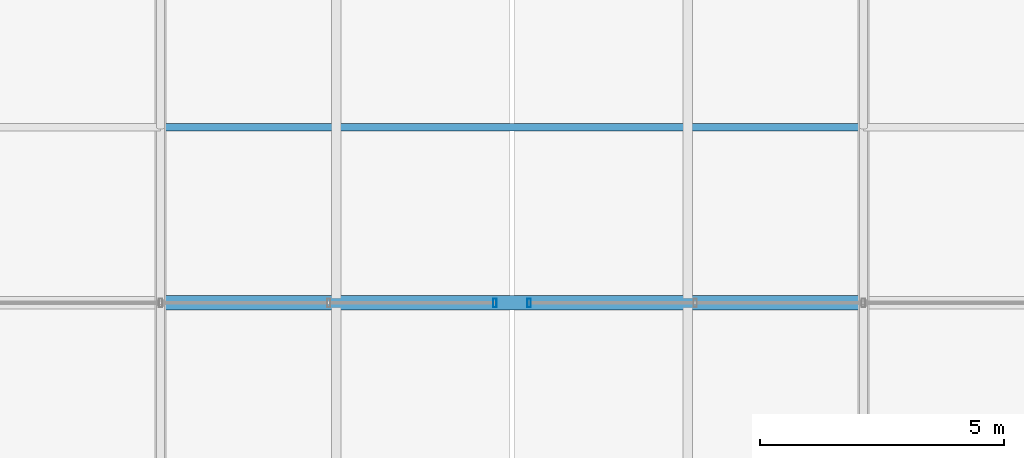
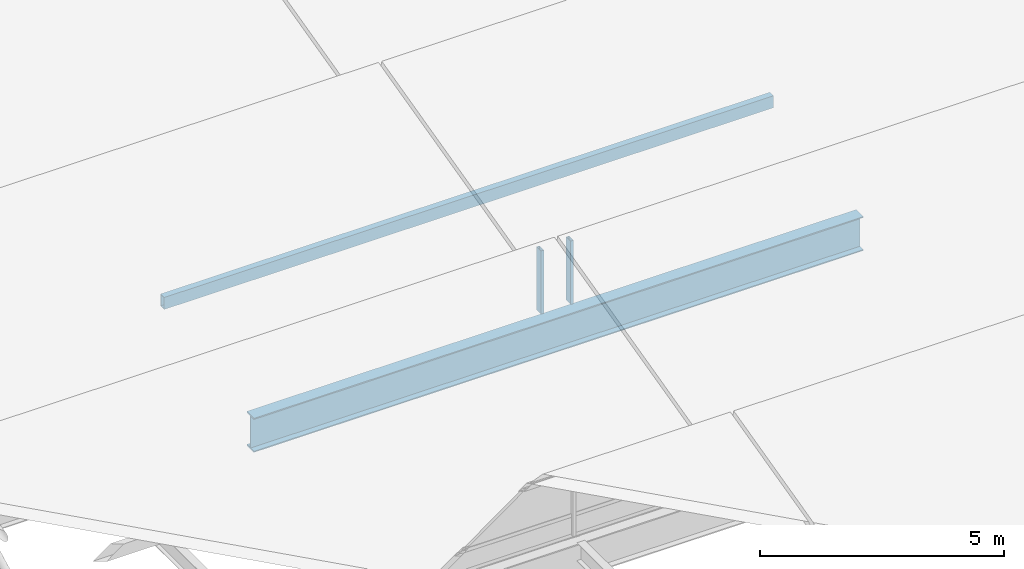
# One storey, part 71 of 144: 3 members, 1 beam, 2 elements without a shape of their own.
"""IFC4 building model written with IfcOpenShell, lengths in metres."""

from ifc_helpers import new_model, si_unit, direction, frame, origin, origin_2d, place, context, subcontext, project, spatial, hollow_rectangle, i_section, extrude, material, material_profile, profile_set, type_object, element, aggregate, save


model = new_model("IFC4")

# Units and contexts
model_context = context("Model", 3, precision=1e-05, world=origin(), true_north=direction((0.0, 1.0)))
body_context = subcontext(model_context, "Body", "Model", "MODEL_VIEW")
ifc_project = project(units=[si_unit("LENGTHUNIT", "METRE"), si_unit("AREAUNIT", "SQUARE_METRE"), si_unit("VOLUMEUNIT", "CUBIC_METRE"), si_unit("PLANEANGLEUNIT", "RADIAN"), si_unit("MASSUNIT", "GRAM", prefix="KILO")], contexts=[model_context])

# Site, building, storey
site_placement = place(None, origin())
site = spatial("IfcSite", under=ifc_project, at=site_placement, CompositionType="ELEMENT")
building_placement = place(site_placement, origin())
building = spatial("IfcBuilding", under=site, at=building_placement, Name="Yarey Park Central Fire Station", CompositionType="ELEMENT")
storey_placement = place(building_placement, frame((0.0, 0.0, 10.199951171875)))
storey = spatial("IfcBuildingStorey", under=building, at=storey_placement, Name="L03", CompositionType="ELEMENT", Elevation=10.199951171875)

# Curtain wall, member
ifc_material_1 = material(Name="Anodized Aluminium Frame", Category="aluminium")
curtain_wall_type = type_object("IfcCurtainWallType", Name="ENV_CW_SAW_18", PredefinedType="NOTDEFINED", material=ifc_material_1)
curtain_wall_1_placement = place(storey_placement, origin())
curtain_wall_1 = element("IfcCurtainWall", 1, at=curtain_wall_1_placement, inside=storey, type_object=curtain_wall_type, Name="CW_L03_SAW_4_1", PredefinedType="NOTDEFINED")
ifc_material_profile_1 = material_profile(ifc_material_1, hollow_rectangle(XDim=0.070068359375, YDim=0.179931640625, WallThickness=0.00390625, at=origin_2d()), Name="ALU 180x70x4")
ifc_profile_set_1 = profile_set([ifc_material_profile_1], Name="Anodized Aluminium Frame")
member_type_1 = type_object("IfcMemberType", Name="ENV_CW_MULLION", PredefinedType="MULLION", material=ifc_profile_set_1)
member_1_placement = place(storey_placement, frame((150.85009765625, 72.0, 0.0), z_axis=(0.0, 0.0, 1.0), x_axis=(1.0, 0.0, 0.0)))
member_1 = element("IfcMember", 2, at=member_1_placement, type_object=member_type_1, Name="CW_L03_SAW_4_1_MUL1", PredefinedType="MULLION", context=body_context, shape_type="SweptSolid", body=[
    extrude(hollow_rectangle(XDim=0.070068359375, YDim=0.179931640625, WallThickness=0.00390625, at=origin_2d()), origin(), (0.0, 0.0, 1.0), 1.580078125),
])
aggregate(curtain_wall_1, [member_1])

curtain_wall_2_placement = place(storey_placement, origin())
curtain_wall_2 = element("IfcCurtainWall", 3, at=curtain_wall_2_placement, inside=storey, type_object=curtain_wall_type, Name="CW_L03_SAW_4_2", PredefinedType="NOTDEFINED")
member_2_placement = place(storey_placement, frame((151.550048828125, 72.0, 0.0), z_axis=(0.0, 0.0, 1.0), x_axis=(1.0, 0.0, 0.0)))
member_2 = element("IfcMember", 4, at=member_2_placement, type_object=member_type_1, Name="CW_L03_SAW_4_2_MUL5", PredefinedType="MULLION", context=body_context, shape_type="SweptSolid", body=[
    extrude(hollow_rectangle(XDim=0.070068359375, YDim=0.179931640625, WallThickness=0.00390625, at=origin_2d()), origin(), (0.0, 0.0, 1.0), 1.580078125),
])
aggregate(curtain_wall_2, [member_2])

# Beam
ifc_material_2 = material(Name="Steel ASTM A992 Gr. 50", Category="steel")
ifc_material_profile_2 = material_profile(ifc_material_2, i_section(OverallWidth=0.2939453125, OverallDepth=0.85107421875, WebThickness=0.01611328125, FlangeThickness=0.02685546875, at=origin_2d()), Name="W840x226")
ifc_profile_set_2 = profile_set([ifc_material_profile_2], Name="Steel ASTM A992 Gr. 50")
beam_type = type_object("IfcBeamType", Name="STR_BM_W840", PredefinedType="BEAM", material=ifc_profile_set_2)
beam_placement = place(storey_placement, frame((144.0, 72.0, -0.60546875), z_axis=(1.0, 0.0, 0.0), x_axis=(0.0, 1.0, 0.0)))
element("IfcBeam", 5, at=beam_placement, inside=storey, type_object=beam_type, Name="BMX L03 Y720 X1440", PredefinedType="BEAM", context=body_context, shape_type="SweptSolid", body=[
    extrude(i_section(OverallWidth=0.2939453125, OverallDepth=0.85107421875, WebThickness=0.01611328125, FlangeThickness=0.02685546875, at=origin_2d()), origin(), (0.0, 0.0, 1.0), 14.39990234375),
])

# Member
ifc_material_3 = material(Name="Steel ASTM A500 Gr. C", Category="steel")
ifc_material_profile_3 = material_profile(ifc_material_3, hollow_rectangle(XDim=0.14990234375, YDim=0.300048828125, WallThickness=0.010009765625, at=origin_2d()), Name="HSS 300x150x10")
ifc_profile_set_3 = profile_set([ifc_material_profile_3], Name="Steel ASTM A500 Gr. C")
member_type_2 = type_object("IfcMemberType", Name="STR_PUR_HSS300", PredefinedType="PURLIN", material=ifc_profile_set_3)
member_3_placement = place(storey_placement, frame((144.0, 75.60009765625, 0.462646484375), z_axis=(1.0, 0.0, 0.0), x_axis=(0.0, 1.0, 0.0)))
element("IfcMember", 6, at=member_3_placement, inside=storey, type_object=member_type_2, Name="SAW_PUR_2_B5", PredefinedType="PURLIN", context=body_context, shape_type="SweptSolid", body=[
    extrude(hollow_rectangle(XDim=0.14990234375, YDim=0.300048828125, WallThickness=0.010009765625, at=origin_2d()), origin(), (0.0, 0.0, 1.0), 14.39990234375),
])

save(model, "model.ifc")
